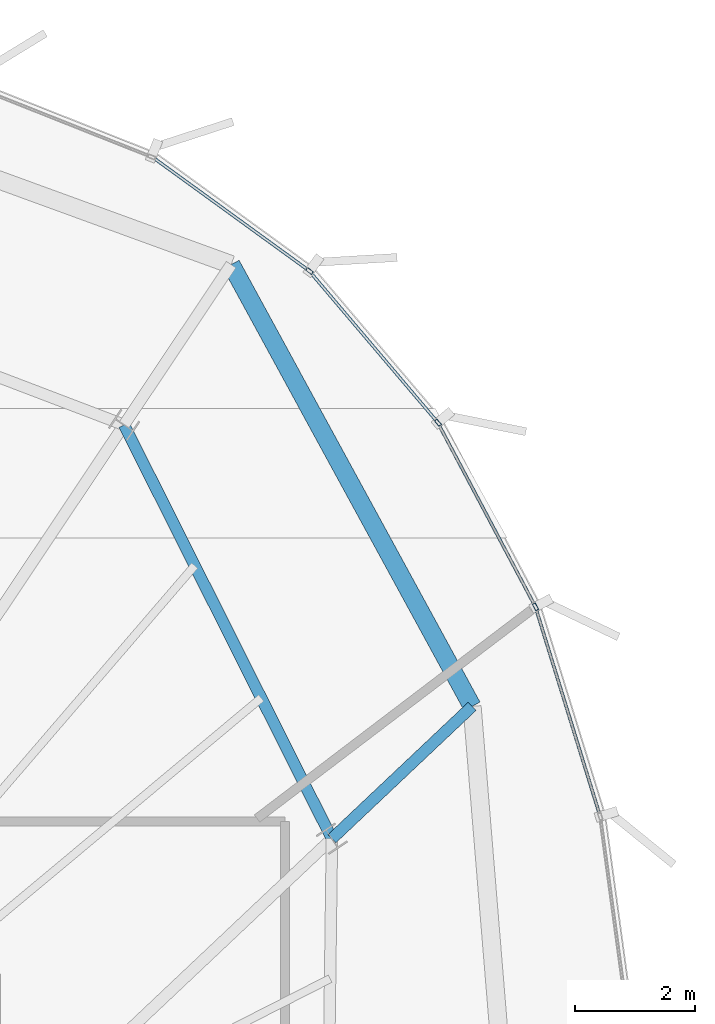
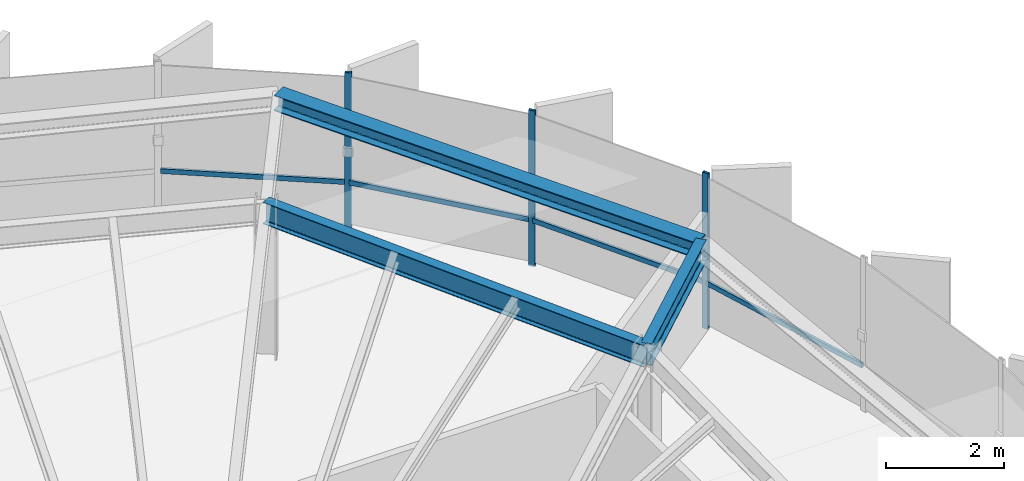
# One storey, part 24 of 32: 7 members, 3 beams, 1 element without a shape of its own.
"""IFC4 building model written with IfcOpenShell, lengths in metres."""

from ifc_helpers import new_model, si_unit, direction, frame, origin, origin_2d, place, context, subcontext, project, spatial, hollow_rectangle, i_section, extrude, source, transform, mapped, material, layer, layer_set, material_profile, profile_set, type_object, element, aggregate, save


model = new_model("IFC4")

# Units and contexts
model_context = context("Model", 3, precision=1e-05, world=origin(), true_north=direction((0.0, 1.0)))
body_context = subcontext(model_context, "Body", "Model", "MODEL_VIEW")
ifc_project = project(units=[si_unit("LENGTHUNIT", "METRE"), si_unit("AREAUNIT", "SQUARE_METRE"), si_unit("VOLUMEUNIT", "CUBIC_METRE"), si_unit("PLANEANGLEUNIT", "RADIAN"), si_unit("MASSUNIT", "GRAM", prefix="KILO"), si_unit("THERMODYNAMICTEMPERATUREUNIT", "KELVIN")], contexts=[model_context])

# Site, building, storey
site_placement = place(None, origin())
site = spatial("IfcSite", under=ifc_project, at=site_placement, CompositionType="ELEMENT")
building_placement = place(site_placement, origin())
building = spatial("IfcBuilding", under=site, at=building_placement, Name="Kethvar Cultural Tower", CompositionType="ELEMENT")
storey_placement = place(building_placement, frame((0.0, 0.0, 280.14990234375)))
storey = spatial("IfcBuildingStorey", under=building, at=storey_placement, Name="L74", CompositionType="ELEMENT", Elevation=280.14990234375)

# Beams
ifc_material_1 = material(Name="Steel S355J2", Category="steel")
ifc_material_profile_1 = material_profile(ifc_material_1, i_section(OverallWidth=0.18994140625, OverallDepth=0.449951171875, WebThickness=0.009521484375, FlangeThickness=0.0146484375, FilletRadius=0.02099609375, at=origin_2d()), Name="Steel S355J2 — IPE450")
ifc_profile_set_1 = profile_set([ifc_material_profile_1], Name="Steel S355J2 — IPE450")
beam_type_1 = type_object("IfcBeamType", Name="BM-IPE450", PredefinedType="BEAM", material=ifc_profile_set_1)
shared_shape_1 = source(origin(), body_context, "Body", "SweptSolid", [
    extrude(i_section(OverallWidth=0.18994140625, OverallDepth=0.449951171875, WebThickness=0.009521484375, FlangeThickness=0.0146484375, FilletRadius=0.02099609375, at=origin_2d()), origin(), (0.0, 0.0, 1.0), 3.199951171875),
])
beam_1_placement = place(storey_placement, frame((61.32568359375, 37.505859375, 2.983154296875), z_axis=(0.727146433404, 0.686482384616, 0.0), x_axis=(-0.686482384616, 0.727146433404, 0.0)))
element("IfcBeam", 1, at=beam_1_placement, inside=storey, type_object=beam_type_1, Name="L74 Perimeter Cantilever Beam RC-02", PredefinedType="BEAM", context=body_context, shape_type="MappedRepresentation", body=[
    mapped(shared_shape_1, transform((0.0, 0.0, 0.0), scale=1.0)),
])
shared_shape_2 = source(origin(), body_context, "Body", "SweptSolid", [
    extrude(i_section(OverallWidth=0.18994140625, OverallDepth=0.449951171875, WebThickness=0.009521484375, FlangeThickness=0.0146484375, FilletRadius=0.02099609375, at=origin_2d()), origin(), (0.0, 0.0, 1.0), 7.68701171875),
])
beam_2_placement = place(storey_placement, frame((61.32568359375, 37.505859375, 2.983154296875), z_axis=(-0.448864354142, 0.893599905763, 0.0), x_axis=(-0.893599905763, -0.448864354142, 0.0)))
element("IfcBeam", 2, at=beam_2_placement, inside=storey, type_object=beam_type_1, Name="L74 Column Ring Tie Beam CR-02", PredefinedType="BEAM", context=body_context, shape_type="MappedRepresentation", body=[
    mapped(shared_shape_2, transform((0.0, 0.0, 0.0), scale=1.0)),
])
ifc_material_profile_2 = material_profile(ifc_material_1, i_section(OverallWidth=0.300048828125, OverallDepth=0.320068359375, WebThickness=0.011474609375, FlangeThickness=0.0205078125, FilletRadius=0.027099609375, at=origin_2d()), Name="Steel S355J2 — HEB320")
ifc_profile_set_2 = profile_set([ifc_material_profile_2], Name="Steel S355J2 — HEB320")
beam_type_2 = type_object("IfcBeamType", Name="BM-SP320", PredefinedType="SPANDREL", material=ifc_profile_set_2)
shared_shape_3 = source(origin(), body_context, "Body", "SweptSolid", [
    extrude(i_section(OverallWidth=0.300048828125, OverallDepth=0.320068359375, WebThickness=0.011474609375, FlangeThickness=0.0205078125, FilletRadius=0.027099609375, at=origin_2d()), origin(), (0.0, 0.0, 1.0), 8.35302734375),
])
beam_3_placement = place(storey_placement, frame((63.652587890625, 39.70263671875, 3.048095703125), z_axis=(-0.478811173891, 0.877917911742, 0.0), x_axis=(-0.877917911742, -0.478811173891, 0.0)))
element("IfcBeam", 3, at=beam_3_placement, inside=storey, type_object=beam_type_2, Name="L74 Perimeter Spandrel Beam SP-02", PredefinedType="SPANDREL", context=body_context, shape_type="MappedRepresentation", body=[
    mapped(shared_shape_3, transform((0.0, 0.0, 0.0), scale=1.0)),
])

# Curtain wall, members
ifc_material_2 = material(Name="Aluminium 6063-T6", Category="aluminium")
ifc_layer = layer(ifc_material_2, 0.179931640625, Name="Aluminium 6063-T6", Category="aluminium")
ifc_layer_set = layer_set([ifc_layer], Name="Aluminium 6063-T6 (180 mm)")
curtain_wall_type = type_object("IfcCurtainWallType", Name="CW-SYS-05-Z56", PredefinedType="NOTDEFINED", material=ifc_layer_set)
curtain_wall_placement = place(storey_placement, origin())
curtain_wall = element("IfcCurtainWall", 4, at=curtain_wall_placement, inside=storey, type_object=curtain_wall_type, Name="L74 Curtain Wall Run 06", PredefinedType="NOTDEFINED")
ifc_material_profile_3 = material_profile(ifc_material_2, hollow_rectangle(XDim=0.054931640625, YDim=0.1201171875, WallThickness=0.00390625, at=origin_2d()), Name="Aluminium 6063-T6 — RHS120x55x4")
ifc_profile_set_3 = profile_set([ifc_material_profile_3], Name="Aluminium 6063-T6 — RHS120x55x4")
member_type_1 = type_object("IfcMemberType", Name="CW-SYS-05-Z56-MUL", PredefinedType="MULLION", material=ifc_profile_set_3)
shared_shape_4 = source(origin(), body_context, "Body", "SweptSolid", [
    extrude(hollow_rectangle(XDim=0.054931640625, YDim=0.1201171875, WallThickness=0.00390625, at=origin_2d()), origin(), (0.0, 0.0, 1.0), 3.210205078125),
])
member_1_placement = place(storey_placement, frame((64.705078125, 41.354248046875, 0.0), z_axis=(0.0, 0.0, 1.0), x_axis=(-0.88336512807, -0.468685449433, 0.0)))
member_1 = element("IfcMember", 5, at=member_1_placement, type_object=member_type_1, Name="CW-L74-R06 Mullion 4", PredefinedType="MULLION", context=body_context, shape_type="MappedRepresentation", body=[
    mapped(shared_shape_4, transform((0.0, 0.0, 0.0), scale=1.0)),
])
member_2_placement = place(storey_placement, frame((63.085205078125, 44.412109375, 0.0), z_axis=(0.0, 0.0, 1.0), x_axis=(-0.762600593847, -0.646869642405, 0.0)))
member_2 = element("IfcMember", 6, at=member_2_placement, type_object=member_type_1, Name="CW-L74-R06 Mullion 5", PredefinedType="MULLION", context=body_context, shape_type="MappedRepresentation", body=[
    mapped(shared_shape_4, transform((0.0, 0.0, 0.0), scale=1.0)),
])
member_3_placement = place(storey_placement, frame((60.9541015625, 46.928955078125, 0.0), z_axis=(0.0, 0.0, 1.0), x_axis=(-0.587135542456, -0.809488637836, 0.0)))
member_3 = element("IfcMember", 7, at=member_3_placement, type_object=member_type_1, Name="CW-L74-R06 Mullion 6", PredefinedType="MULLION", context=body_context, shape_type="MappedRepresentation", body=[
    mapped(shared_shape_4, transform((0.0, 0.0, 0.0), scale=1.0)),
])
ifc_material_profile_4 = material_profile(ifc_material_2, hollow_rectangle(XDim=0.050048828125, YDim=0.10009765625, WallThickness=0.00390625, at=origin_2d()), Name="Aluminium 6063-T6 — RHS100x50x4")
ifc_profile_set_4 = profile_set([ifc_material_profile_4], Name="Aluminium 6063-T6 — RHS100x50x4")
member_type_2 = type_object("IfcMemberType", Name="CW-SYS-05-Z56-TRN", PredefinedType="USERDEFINED", material=ifc_profile_set_4)
shared_shape_5 = source(origin(), body_context, "Body", "SweptSolid", [
    extrude(hollow_rectangle(XDim=0.050048828125, YDim=0.10009765625, WallThickness=0.00390625, at=origin_2d()), origin(), (0.0, 0.0, 1.0), 3.146240234375),
])
member_4_placement = place(storey_placement, frame((60.922119140625, 46.9521484375, 0.9501953125), z_axis=(-0.809470298061, 0.587160826824, 0.0), x_axis=(-0.587160826824, -0.809470298061, 0.0)))
member_4 = element("IfcMember", 8, at=member_4_placement, type_object=member_type_2, Name="CW-L74-R06 Transom 6", ObjectType="TRANSOM", PredefinedType="USERDEFINED", context=body_context, shape_type="MappedRepresentation", body=[
    mapped(shared_shape_5, transform((0.0, 0.0, 0.0), scale=1.0)),
])
shared_shape_6 = source(origin(), body_context, "Body", "SweptSolid", [
    extrude(hollow_rectangle(XDim=0.050048828125, YDim=0.10009765625, WallThickness=0.00390625, at=origin_2d()), origin(), (0.0, 0.0, 1.0), 3.242431640625),
])
member_5_placement = place(storey_placement, frame((63.059814453125, 44.4423828125, 0.9501953125), z_axis=(-0.646869984832, 0.762600303385, 0.0), x_axis=(-0.762600303385, -0.646869984832, 0.0)))
member_5 = element("IfcMember", 9, at=member_5_placement, type_object=member_type_2, Name="CW-L74-R06 Transom 5", ObjectType="TRANSOM", PredefinedType="USERDEFINED", context=body_context, shape_type="MappedRepresentation", body=[
    mapped(shared_shape_6, transform((0.0, 0.0, 0.0), scale=1.0)),
])
shared_shape_7 = source(origin(), body_context, "Body", "SweptSolid", [
    extrude(hollow_rectangle(XDim=0.050048828125, YDim=0.10009765625, WallThickness=0.00390625, at=origin_2d()), origin(), (0.0, 0.0, 1.0), 3.402587890625),
])
member_6_placement = place(storey_placement, frame((64.6865234375, 41.389404296875, 0.9501953125), z_axis=(-0.468695239085, 0.883359933922, 0.0), x_axis=(-0.883359933922, -0.468695239085, 0.0)))
member_6 = element("IfcMember", 10, at=member_6_placement, type_object=member_type_2, Name="CW-L74-R06 Transom 4", ObjectType="TRANSOM", PredefinedType="USERDEFINED", context=body_context, shape_type="MappedRepresentation", body=[
    mapped(shared_shape_7, transform((0.0, 0.0, 0.0), scale=1.0)),
])
shared_shape_8 = source(origin(), body_context, "Body", "SweptSolid", [
    extrude(hollow_rectangle(XDim=0.050048828125, YDim=0.10009765625, WallThickness=0.00390625, at=origin_2d()), origin(), (0.0, 0.0, 1.0), 3.580078125),
])
member_7_placement = place(storey_placement, frame((65.767333984375, 37.913330078125, 0.9501953125), z_axis=(-0.295408125187, 0.955371152785, 0.0), x_axis=(-0.955371152785, -0.295408125187, 0.0)))
member_7 = element("IfcMember", 11, at=member_7_placement, type_object=member_type_2, Name="CW-L74-R06 Transom 3", ObjectType="TRANSOM", PredefinedType="USERDEFINED", context=body_context, shape_type="MappedRepresentation", body=[
    mapped(shared_shape_8, transform((0.0, 0.0, 0.0), scale=1.0)),
])
aggregate(curtain_wall, [member_1, member_2, member_3, member_7, member_6, member_5, member_4])

save(model, "model.ifc")
